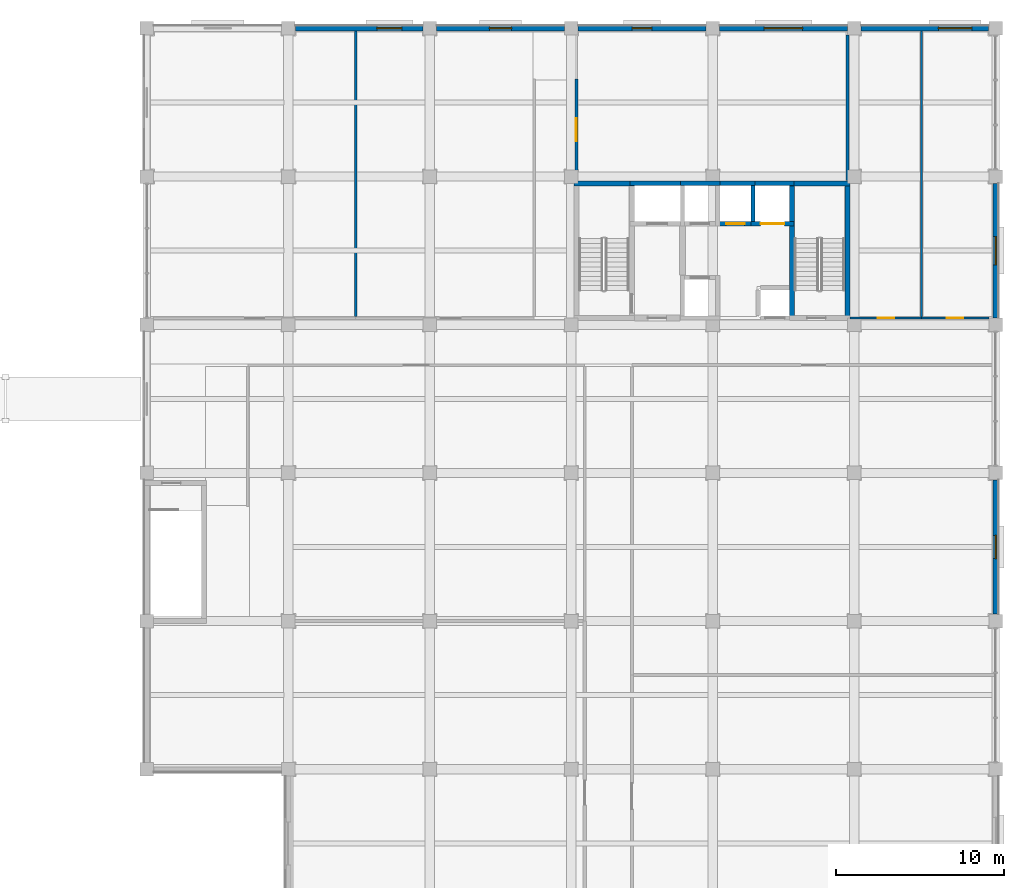
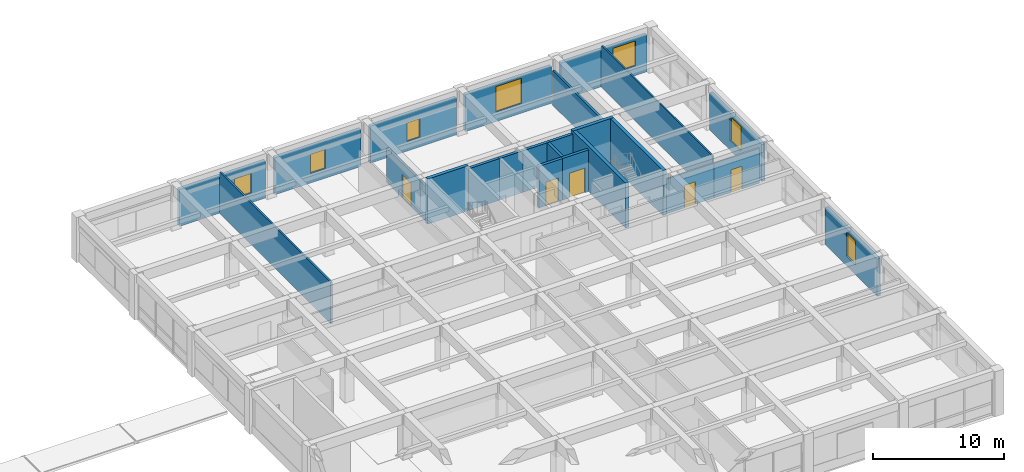
# One storey, part 36 of 46: 24 walls, 7 windows, 5 doors, 12 openings.
"""IFC4 building model written with IfcOpenShell, lengths in metres."""

from ifc_helpers import new_model, si_unit, direction, frame, frame_2d, origin, place, context, subcontext, project, spatial, rectangle, extrude, material, layer, layer_set, type_object, element, fill, save


model = new_model("IFC4")

# Units and contexts
model_context = context("Model", 3, precision=1e-05, world=origin(), true_north=direction((0.0, 1.0)))
body_context = subcontext(model_context, "Body", "Model", "MODEL_VIEW")
ifc_project = project(units=[si_unit("LENGTHUNIT", "METRE"), si_unit("AREAUNIT", "SQUARE_METRE"), si_unit("VOLUMEUNIT", "CUBIC_METRE"), si_unit("PLANEANGLEUNIT", "RADIAN"), si_unit("MASSUNIT", "GRAM", prefix="KILO")], contexts=[model_context])

# Site, building, storey
site_placement = place(None, origin())
site = spatial("IfcSite", under=ifc_project, at=site_placement, CompositionType="ELEMENT")
building_placement = place(site_placement, origin())
building = spatial("IfcBuilding", under=site, at=building_placement, Name="Kemercrest Conservatory and Botanical Centre", CompositionType="ELEMENT")
storey_placement = place(building_placement, frame((0.0, 0.0, 9.0)))
storey = spatial("IfcBuildingStorey", under=building, at=storey_placement, Name="L02", CompositionType="ELEMENT", Elevation=9.0)

# Walls
ifc_material_1 = material(Name="Concrete C50/60", Category="concrete")
ifc_layer_1 = layer(ifc_material_1, 0.300048828125)
ifc_layer_set_1 = layer_set([ifc_layer_1], Name="Concrete C50/60")
wall_type_1 = type_object("IfcWallType", Name="CW-STAIR", PredefinedType="SHEAR", material=ifc_layer_set_1)
for number, where, z_axis, x_axis, name in (
    (1, (150.949951171875, 113.199951171875, 0.0), (0.0, 0.0, 1.0), (1.0, 0.0, 0.0), "Stair core ST-V4A shear wall N"),
    (2, (163.75, 113.199951171875, 0.0), (0.0, 0.0, 1.0), (1.0, 0.0, 0.0), "Stair core ST-V4B shear wall N"),
):
    element("IfcWall", number, at=place(storey_placement, frame(where, z_axis=z_axis, x_axis=x_axis)), inside=storey, type_object=wall_type_1, Name=name, PredefinedType="SHEAR", context=body_context, shape_type="SweptSolid", body=[
        extrude(rectangle(XDim=3.60009765625, YDim=0.300048828125, at=frame_2d((1.800048828125, 0.0))), origin(), (0.0, 0.0, 1.0), 4.199951171875),
    ])
for number, where, z_axis, x_axis, name in (
    (3, (163.89990234375, 105.050048828125, 0.0), (0.0, 0.0, 1.0), (0.0, 1.0, 0.0), "Stair core ST-V4B shear wall W"),
    (4, (167.199951171875, 105.050048828125, 0.0), (0.0, 0.0, 1.0), (0.0, 1.0, 0.0), "Stair core ST-V4B shear wall E"),
):
    element("IfcWall", number, at=place(storey_placement, frame(where, z_axis=z_axis, x_axis=x_axis)), inside=storey, type_object=wall_type_1, Name=name, PredefinedType="SHEAR", context=body_context, shape_type="SweptSolid", body=[
        extrude(rectangle(XDim=8.300048828125, YDim=0.300048828125, at=frame_2d((4.14990234375, 0.0))), origin(), (0.0, 0.0, 1.0), 4.199951171875),
    ])

# Wall, opening, window
ifc_material_2 = material(Name="Precast concrete C40/50", Category="concrete")
ifc_layer_2 = layer(ifc_material_2, 0.300048828125)
ifc_layer_set_2 = layer_set([ifc_layer_2], Name="Precast concrete C40/50")
wall_type_2 = type_object("IfcWallType", Name="W-EXT300", PredefinedType="SOLIDWALL", material=ifc_layer_set_2)
wall_1_placement = place(storey_placement, frame((176.0, 87.610107421875, 0.0), z_axis=(0.0, 0.0, 1.0), x_axis=(0.0, 1.0, 0.0)))
wall_1 = element("IfcWall", 5, at=wall_1_placement, inside=storey, type_object=wall_type_2, Name="Exterior almasik wall W-EXT300 (WAL:L02:EXT-196)", PredefinedType="SOLIDWALL", context=body_context, shape_type="SweptSolid", body=[
    extrude(rectangle(XDim=7.97998046875, YDim=0.300048828125, at=frame_2d((3.989990234375, 0.0))), origin(), (0.0, 0.0, 1.0), 3.449951171875),
])
opening_1_placement = place(wall_1_placement, frame((3.300048828125, 0.0, 0.89990234375)))
opening_1 = element("IfcOpeningElement", 6, at=opening_1_placement, cuts=wall_1, Name="Opening WT-41", PredefinedType="OPENING", context=body_context, shape_type="SweptSolid", body=[
    extrude(rectangle(XDim=1.3798828125, YDim=2.239990234375, at=frame_2d((0.68994140625, 1.1201171875))), frame((0.0, 0.16015625, 0.0), z_axis=(0.0, -1.0, 0.0), x_axis=(1.0, 0.0, 0.0)), (0.0, 0.0, 1.0), 0.320068359375),
])
ifc_material_3 = material(Name="Thermally broken bronze-anodized aluminium and triple glazing", Category="aluminium")
window_type_1 = type_object("IfcWindowType", Name="WT-41", PartitioningType="SINGLE_PANEL", PredefinedType="WINDOW", material=ifc_material_3)
window_1_placement = place(opening_1_placement, origin())
window_1 = element("IfcWindow", 7, at=window_1_placement, inside=storey, type_object=window_type_1, Name="Exterior window WT-41 (WIN:L02:EXT-196)", OverallHeight=2.239990234375, OverallWidth=1.3798828125, PartitioningType="SINGLE_PANEL", PredefinedType="WINDOW", context=body_context, shape_type="SweptSolid", body=[
    extrude(rectangle(XDim=1.3798828125, YDim=2.239990234375, at=frame_2d((0.68994140625, 1.1201171875))), frame((0.0, 0.030029296875, 0.0), z_axis=(0.0, -1.0, 0.0), x_axis=(1.0, 0.0, 0.0)), (0.0, 0.0, 1.0), 0.06005859375),
])
fill(opening_1, window_1)

wall_2_placement = place(storey_placement, frame((176.0, 105.2099609375, 0.0), z_axis=(0.0, 0.0, 1.0), x_axis=(0.0, 1.0, 0.0)))
wall_2 = element("IfcWall", 8, at=wall_2_placement, inside=storey, type_object=wall_type_2, Name="Exterior almasik wall W-EXT300 (WAL:L02:EXT-197)", PredefinedType="SOLIDWALL", context=body_context, shape_type="SweptSolid", body=[
    extrude(rectangle(XDim=7.97998046875, YDim=0.300048828125, at=frame_2d((3.989990234375, 0.0))), origin(), (0.0, 0.0, 1.0), 3.449951171875),
])
opening_2_placement = place(wall_2_placement, frame((3.14990234375, 0.0, 0.89990234375)))
opening_2 = element("IfcOpeningElement", 9, at=opening_2_placement, cuts=wall_2, Name="Opening WT-42", PredefinedType="OPENING", context=body_context, shape_type="SweptSolid", body=[
    extrude(rectangle(XDim=1.679931640625, YDim=2.280029296875, at=frame_2d((0.83984375, 1.14013671875))), frame((0.0, 0.16015625, 0.0), z_axis=(0.0, -1.0, 0.0), x_axis=(1.0, 0.0, 0.0)), (0.0, 0.0, 1.0), 0.320068359375),
])
window_type_2 = type_object("IfcWindowType", Name="WT-42", PartitioningType="SINGLE_PANEL", PredefinedType="WINDOW", material=ifc_material_3)
window_2_placement = place(opening_2_placement, origin())
window_2 = element("IfcWindow", 10, at=window_2_placement, inside=storey, type_object=window_type_2, Name="Exterior window WT-42 (WIN:L02:EXT-197)", OverallHeight=2.280029296875, OverallWidth=1.679931640625, PartitioningType="SINGLE_PANEL", PredefinedType="WINDOW", context=body_context, shape_type="SweptSolid", body=[
    extrude(rectangle(XDim=1.679931640625, YDim=2.280029296875, at=frame_2d((0.83984375, 1.14013671875))), frame((0.0, 0.030029296875, 0.0), z_axis=(0.0, -1.0, 0.0), x_axis=(1.0, 0.0, 0.0)), (0.0, 0.0, 1.0), 0.06005859375),
])
fill(opening_2, window_2)

wall_3_placement = place(storey_placement, frame((175.590087890625, 122.39990234375, 0.0), z_axis=(0.0, 0.0, 1.0), x_axis=(-1.0, 0.0, 0.0)))
wall_3 = element("IfcWall", 11, at=wall_3_placement, inside=storey, type_object=wall_type_2, Name="Exterior almasik wall W-EXT300 (WAL:L02:EXT-198)", PredefinedType="SOLIDWALL", context=body_context, shape_type="SweptSolid", body=[
    extrude(rectangle(XDim=7.580078125, YDim=0.300048828125, at=frame_2d((3.7900390625, 0.0))), origin(), (0.0, 0.0, 1.0), 3.449951171875),
])
opening_3_placement = place(wall_3_placement, frame((1.0048828125, 0.0, 0.89990234375)))
opening_3 = element("IfcOpeningElement", 12, at=opening_3_placement, cuts=wall_3, Name="Opening WT-43", PredefinedType="OPENING", context=body_context, shape_type="SweptSolid", body=[
    extrude(rectangle(XDim=1.97998046875, YDim=2.320068359375, at=frame_2d((0.989990234375, 1.16015625))), frame((0.0, 0.16015625, 0.0), z_axis=(0.0, -1.0, 0.0), x_axis=(1.0, 0.0, 0.0)), (0.0, 0.0, 1.0), 0.320068359375),
])
window_type_3 = type_object("IfcWindowType", Name="WT-43", PartitioningType="SINGLE_PANEL", PredefinedType="WINDOW", material=ifc_material_3)
window_3_placement = place(opening_3_placement, origin())
window_3 = element("IfcWindow", 13, at=window_3_placement, inside=storey, type_object=window_type_3, Name="Exterior window WT-43 (WIN:L02:EXT-198)", OverallHeight=2.320068359375, OverallWidth=1.97998046875, PartitioningType="SINGLE_PANEL", PredefinedType="WINDOW", context=body_context, shape_type="SweptSolid", body=[
    extrude(rectangle(XDim=1.97998046875, YDim=2.320068359375, at=frame_2d((0.989990234375, 1.16015625))), frame((0.0, 0.030029296875, 0.0), z_axis=(0.0, -1.0, 0.0), x_axis=(1.0, 0.0, 0.0)), (0.0, 0.0, 1.0), 0.06005859375),
])
fill(opening_3, window_3)

wall_4_placement = place(storey_placement, frame((167.18994140625, 122.39990234375, 0.0), z_axis=(0.0, 0.0, 1.0), x_axis=(-1.0, 0.0, 0.0)))
wall_4 = element("IfcWall", 14, at=wall_4_placement, inside=storey, type_object=wall_type_2, Name="Exterior almasik wall W-EXT300 (WAL:L02:EXT-199)", PredefinedType="SOLIDWALL", context=body_context, shape_type="SweptSolid", body=[
    extrude(rectangle(XDim=7.579833984375, YDim=0.300048828125, at=frame_2d((3.7900390625, 0.0))), origin(), (0.0, 0.0, 1.0), 3.449951171875),
])
opening_4_placement = place(wall_4_placement, frame((2.64990234375, 0.0, 0.89990234375)))
opening_4 = element("IfcOpeningElement", 15, at=opening_4_placement, cuts=wall_4, Name="Opening WT-44", PredefinedType="OPENING", context=body_context, shape_type="SweptSolid", body=[
    extrude(rectangle(XDim=2.280029296875, YDim=2.360107421875, at=frame_2d((1.14013671875, 1.18017578125))), frame((0.0, 0.16015625, 0.0), z_axis=(0.0, -1.0, 0.0), x_axis=(1.0, 0.0, 0.0)), (0.0, 0.0, 1.0), 0.320068359375),
])
window_type_4 = type_object("IfcWindowType", Name="WT-44", PartitioningType="SINGLE_PANEL", PredefinedType="WINDOW", material=ifc_material_3)
window_4_placement = place(opening_4_placement, origin())
window_4 = element("IfcWindow", 16, at=window_4_placement, inside=storey, type_object=window_type_4, Name="Exterior window WT-44 (WIN:L02:EXT-199)", OverallHeight=2.360107421875, OverallWidth=2.280029296875, PartitioningType="SINGLE_PANEL", PredefinedType="WINDOW", context=body_context, shape_type="SweptSolid", body=[
    extrude(rectangle(XDim=2.280029296875, YDim=2.360107421875, at=frame_2d((1.14013671875, 1.18017578125))), frame((0.0, 0.030029296875, 0.0), z_axis=(0.0, -1.0, 0.0), x_axis=(1.0, 0.0, 0.0)), (0.0, 0.0, 1.0), 0.06005859375),
])
fill(opening_4, window_4)

wall_5_placement = place(storey_placement, frame((158.7900390625, 122.39990234375, 0.0), z_axis=(0.0, 0.0, 1.0), x_axis=(-1.0, 0.0, 0.0)))
wall_5 = element("IfcWall", 17, at=wall_5_placement, inside=storey, type_object=wall_type_2, Name="Exterior almasik wall W-EXT300 (WAL:L02:EXT-200)", PredefinedType="SOLIDWALL", context=body_context, shape_type="SweptSolid", body=[
    extrude(rectangle(XDim=7.580078125, YDim=0.300048828125, at=frame_2d((3.7900390625, 0.0))), origin(), (0.0, 0.0, 1.0), 3.449951171875),
])
opening_5_placement = place(wall_5_placement, frame((3.2099609375, 0.0, 0.89990234375)))
opening_5 = element("IfcOpeningElement", 18, at=opening_5_placement, cuts=wall_5, Name="Opening WT-45", PredefinedType="OPENING", context=body_context, shape_type="SweptSolid", body=[
    extrude(rectangle(XDim=1.159912109375, YDim=1.739990234375, at=frame_2d((0.580078125, 0.8701171875))), frame((0.0, 0.16015625, 0.0), z_axis=(0.0, -1.0, 0.0), x_axis=(1.0, 0.0, 0.0)), (0.0, 0.0, 1.0), 0.320068359375),
])
window_type_5 = type_object("IfcWindowType", Name="WT-45", PartitioningType="SINGLE_PANEL", PredefinedType="WINDOW", material=ifc_material_3)
window_5_placement = place(opening_5_placement, origin())
window_5 = element("IfcWindow", 19, at=window_5_placement, inside=storey, type_object=window_type_5, Name="Exterior window WT-45 (WIN:L02:EXT-200)", OverallHeight=1.739990234375, OverallWidth=1.159912109375, PartitioningType="SINGLE_PANEL", PredefinedType="WINDOW", context=body_context, shape_type="SweptSolid", body=[
    extrude(rectangle(XDim=1.159912109375, YDim=1.739990234375, at=frame_2d((0.580078125, 0.8701171875))), frame((0.0, 0.030029296875, 0.0), z_axis=(0.0, -1.0, 0.0), x_axis=(1.0, 0.0, 0.0)), (0.0, 0.0, 1.0), 0.06005859375),
])
fill(opening_5, window_5)

wall_6_placement = place(storey_placement, frame((150.389892578125, 122.39990234375, 0.0), z_axis=(0.0, 0.0, 1.0), x_axis=(-1.0, 0.0, 0.0)))
wall_6 = element("IfcWall", 20, at=wall_6_placement, inside=storey, type_object=wall_type_2, Name="Exterior almasik wall W-EXT300 (WAL:L02:EXT-201)", PredefinedType="SOLIDWALL", context=body_context, shape_type="SweptSolid", body=[
    extrude(rectangle(XDim=7.579833984375, YDim=0.300048828125, at=frame_2d((3.7900390625, 0.0))), origin(), (0.0, 0.0, 1.0), 3.449951171875),
])
opening_6_placement = place(wall_6_placement, frame((3.1298828125, 0.0, 0.89990234375)))
opening_6 = element("IfcOpeningElement", 21, at=opening_6_placement, cuts=wall_6, Name="Opening WT-46", PredefinedType="OPENING", context=body_context, shape_type="SweptSolid", body=[
    extrude(rectangle(XDim=1.320068359375, YDim=1.780029296875, at=frame_2d((0.66015625, 0.89013671875))), frame((0.0, 0.16015625, 0.0), z_axis=(0.0, -1.0, 0.0), x_axis=(1.0, 0.0, 0.0)), (0.0, 0.0, 1.0), 0.320068359375),
])
window_type_6 = type_object("IfcWindowType", Name="WT-46", PartitioningType="SINGLE_PANEL", PredefinedType="WINDOW", material=ifc_material_3)
window_6_placement = place(opening_6_placement, origin())
window_6 = element("IfcWindow", 22, at=window_6_placement, inside=storey, type_object=window_type_6, Name="Exterior window WT-46 (WIN:L02:EXT-201)", OverallHeight=1.780029296875, OverallWidth=1.320068359375, PartitioningType="SINGLE_PANEL", PredefinedType="WINDOW", context=body_context, shape_type="SweptSolid", body=[
    extrude(rectangle(XDim=1.320068359375, YDim=1.780029296875, at=frame_2d((0.66015625, 0.89013671875))), frame((0.0, 0.030029296875, 0.0), z_axis=(0.0, -1.0, 0.0), x_axis=(1.0, 0.0, 0.0)), (0.0, 0.0, 1.0), 0.06005859375),
])
fill(opening_6, window_6)

wall_7_placement = place(storey_placement, frame((141.989990234375, 122.39990234375, 0.0), z_axis=(0.0, 0.0, 1.0), x_axis=(-1.0, 0.0, 0.0)))
wall_7 = element("IfcWall", 23, at=wall_7_placement, inside=storey, type_object=wall_type_2, Name="Exterior almasik wall W-EXT300 (WAL:L02:EXT-202)", PredefinedType="SOLIDWALL", context=body_context, shape_type="SweptSolid", body=[
    extrude(rectangle(XDim=7.580078125, YDim=0.300048828125, at=frame_2d((3.7900390625, 0.0))), origin(), (0.0, 0.0, 1.0), 3.449951171875),
])
opening_7_placement = place(wall_7_placement, frame((1.2548828125, 0.0, 0.89990234375)))
opening_7 = element("IfcOpeningElement", 24, at=opening_7_placement, cuts=wall_7, Name="Opening WT-47", PredefinedType="OPENING", context=body_context, shape_type="SweptSolid", body=[
    extrude(rectangle(XDim=1.47998046875, YDim=1.840087890625, at=frame_2d((0.739990234375, 0.919921875))), frame((0.0, 0.16015625, 0.0), z_axis=(0.0, -1.0, 0.0), x_axis=(1.0, 0.0, 0.0)), (0.0, 0.0, 1.0), 0.320068359375),
])
window_type_7 = type_object("IfcWindowType", Name="WT-47", PartitioningType="SINGLE_PANEL", PredefinedType="WINDOW", material=ifc_material_3)
window_7_placement = place(opening_7_placement, origin())
window_7 = element("IfcWindow", 25, at=window_7_placement, inside=storey, type_object=window_type_7, Name="Exterior window WT-47 (WIN:L02:EXT-202)", OverallHeight=1.840087890625, OverallWidth=1.47998046875, PartitioningType="SINGLE_PANEL", PredefinedType="WINDOW", context=body_context, shape_type="SweptSolid", body=[
    extrude(rectangle(XDim=1.47998046875, YDim=1.840087890625, at=frame_2d((0.739990234375, 0.919921875))), frame((0.0, 0.030029296875, 0.0), z_axis=(0.0, -1.0, 0.0), x_axis=(1.0, 0.0, 0.0)), (0.0, 0.0, 1.0), 0.06005859375),
])
fill(opening_7, window_7)

# Wall, opening, door
ifc_material_4 = material(Name="Moisture-resistant gypsum board partition", Category="gypsum")
ifc_layer_3 = layer(ifc_material_4, 0.125)
ifc_layer_set_3 = layer_set([ifc_layer_3], Name="Moisture-resistant gypsum board partition")
wall_type_3 = type_object("IfcWallType", Name="W-PART125", PredefinedType="PARTITIONING", material=ifc_layer_set_3)
wall_8_placement = place(storey_placement, frame((167.35498046875, 105.199951171875, 0.0), z_axis=(0.0, 0.0, 1.0), x_axis=(1.0, 0.0, 0.0)))
wall_8 = element("IfcWall", 26, at=wall_8_placement, inside=storey, type_object=wall_type_3, Name="Interior partition W-PART125 #122", PredefinedType="PARTITIONING", context=body_context, shape_type="SweptSolid", body=[
    extrude(rectangle(XDim=4.2451171875, YDim=0.125, at=frame_2d((2.12255859375, 0.0))), origin(), (0.0, 0.0, 1.0), 3.2451171875),
])
opening_8_placement = place(wall_8_placement, frame((1.632568359375, 0.0, 0.0)))
opening_8 = element("IfcOpeningElement", 27, at=opening_8_placement, cuts=wall_8, Name="Opening D180", PredefinedType="OPENING", context=body_context, shape_type="SweptSolid", body=[
    extrude(rectangle(XDim=0.97998046875, YDim=2.10009765625, at=frame_2d((0.489990234375, 1.050048828125))), frame((0.0, 0.072509765625, 0.0), z_axis=(0.0, -1.0, 0.0), x_axis=(1.0, 0.0, 0.0)), (0.0, 0.0, 1.0), 0.14501953125),
])
ifc_material_5 = material(Name="FSC solid-core white oak veneer and anodized aluminium frame", Category="aluminium")
door_type_1 = type_object("IfcDoorType", Name="DT-02", OperationType="NOTDEFINED", PredefinedType="DOOR", material=ifc_material_5)
door_1_placement = place(opening_8_placement, origin())
door_1 = element("IfcDoor", 28, at=door_1_placement, inside=storey, type_object=door_type_1, Name="Staff Washroom door D180", OperationType="SINGLE_SWING_RIGHT", OverallHeight=2.10009765625, OverallWidth=0.97998046875, PredefinedType="DOOR", context=body_context, shape_type="SweptSolid", body=[
    extrude(rectangle(XDim=0.97998046875, YDim=2.10009765625, at=frame_2d((0.489990234375, 1.050048828125))), frame((0.0, 0.02490234375, 0.0), z_axis=(0.0, -1.0, 0.0), x_axis=(1.0, 0.0, 0.0)), (0.0, 0.0, 1.0), 0.050048828125),
])
fill(opening_8, door_1)

wall_9_placement = place(storey_placement, frame((171.60009765625, 105.199951171875, 0.0), z_axis=(0.0, 0.0, 1.0), x_axis=(1.0, 0.0, 0.0)))
wall_9 = element("IfcWall", 29, at=wall_9_placement, inside=storey, type_object=wall_type_3, Name="Interior partition W-PART125 #123", PredefinedType="PARTITIONING", context=body_context, shape_type="SweptSolid", body=[
    extrude(rectangle(XDim=4.0, YDim=0.125, at=frame_2d((2.0, 0.0))), origin(), (0.0, 0.0, 1.0), 3.2451171875),
])
opening_9_placement = place(wall_9_placement, frame((1.510009765625, 0.0, 0.0)))
opening_9 = element("IfcOpeningElement", 30, at=opening_9_placement, cuts=wall_9, Name="Opening D181", PredefinedType="OPENING", context=body_context, shape_type="SweptSolid", body=[
    extrude(rectangle(XDim=0.97998046875, YDim=2.10009765625, at=frame_2d((0.489990234375, 1.050048828125))), frame((0.0, 0.072509765625, 0.0), z_axis=(0.0, -1.0, 0.0), x_axis=(1.0, 0.0, 0.0)), (0.0, 0.0, 1.0), 0.14501953125),
])
door_2_placement = place(opening_9_placement, origin())
door_2 = element("IfcDoor", 31, at=door_2_placement, inside=storey, type_object=door_type_1, Name="Accessible Washroom door D181", OperationType="SINGLE_SWING_LEFT", OverallHeight=2.10009765625, OverallWidth=0.97998046875, PredefinedType="DOOR", context=body_context, shape_type="SweptSolid", body=[
    extrude(rectangle(XDim=0.97998046875, YDim=2.10009765625, at=frame_2d((0.489990234375, 1.050048828125))), frame((0.0, 0.02490234375, 0.0), z_axis=(0.0, -1.0, 0.0), x_axis=(1.0, 0.0, 0.0)), (0.0, 0.0, 1.0), 0.050048828125),
])
fill(opening_9, door_2)

# Walls
wall_10_placement = place(storey_placement, frame((171.60009765625, 105.267578125, 0.0), z_axis=(0.0, 0.0, 1.0), x_axis=(0.0, 1.0, 0.0)))
element("IfcWall", 32, at=wall_10_placement, inside=storey, type_object=wall_type_3, Name="Interior partition W-PART125 #138", PredefinedType="PARTITIONING", context=body_context, shape_type="SweptSolid", body=[
    extrude(rectangle(XDim=16.9775390625, YDim=0.125, at=frame_2d((8.48876953125, 0.0))), origin(), (0.0, 0.0, 1.0), 3.864990234375),
])
ifc_material_6 = material(Name="Steel-stud gypsum board partition", Category="steel")
ifc_layer_4 = layer(ifc_material_6, 0.14990234375)
ifc_layer_set_4 = layer_set([ifc_layer_4], Name="Steel-stud gypsum board partition")
wall_type_4 = type_object("IfcWallType", Name="W-PART150", PredefinedType="PARTITIONING", material=ifc_layer_set_4)
wall_11_placement = place(storey_placement, frame((138.0, 105.280029296875, 0.0), z_axis=(0.0, 0.0, 1.0), x_axis=(0.0, 1.0, 0.0)))
element("IfcWall", 33, at=wall_11_placement, inside=storey, type_object=wall_type_4, Name="Interior partition W-PART150 #136", PredefinedType="PARTITIONING", context=body_context, shape_type="SweptSolid", body=[
    extrude(rectangle(XDim=16.965087890625, YDim=0.14990234375, at=frame_2d((8.482421875, 0.0))), origin(), (0.0, 0.0, 1.0), 3.864990234375),
])

# Wall, opening, door
ifc_material_7 = material(Name="Acoustic steel-stud gypsum board assembly", Category="steel")
ifc_layer_5 = layer(ifc_material_7, 0.179931640625)
ifc_layer_set_5 = layer_set([ifc_layer_5], Name="Acoustic steel-stud gypsum board assembly")
wall_type_5 = type_object("IfcWallType", Name="W-PART180", PredefinedType="PARTITIONING", material=ifc_layer_set_5)
wall_12_placement = place(storey_placement, frame((151.10009765625, 113.35498046875, 0.0), z_axis=(0.0, 0.0, 1.0), x_axis=(0.0, 1.0, 0.0)))
wall_12 = element("IfcWall", 34, at=wall_12_placement, inside=storey, type_object=wall_type_5, Name="Interior partition W-PART180 #130", PredefinedType="PARTITIONING", context=body_context, shape_type="SweptSolid", body=[
    extrude(rectangle(XDim=6.044921875, YDim=0.179931640625, at=frame_2d((3.0224609375, 0.0))), origin(), (0.0, 0.0, 1.0), 3.2451171875),
])
opening_10_placement = place(wall_12_placement, frame((2.33251953125, 0.0, 0.0)))
opening_10 = element("IfcOpeningElement", 35, at=opening_10_placement, cuts=wall_12, Name="Opening D184", PredefinedType="OPENING", context=body_context, shape_type="SweptSolid", body=[
    extrude(rectangle(XDim=1.3798828125, YDim=2.199951171875, at=frame_2d((0.68994140625, 1.10009765625))), frame((0.0, 0.10009765625, 0.0), z_axis=(0.0, -1.0, 0.0), x_axis=(1.0, 0.0, 0.0)), (0.0, 0.0, 1.0), 0.199951171875),
])
door_type_2 = type_object("IfcDoorType", Name="DT-08", OperationType="DOUBLE_DOOR_SINGLE_SWING", PredefinedType="DOOR", material=ifc_material_5)
door_3_placement = place(opening_10_placement, origin())
door_3 = element("IfcDoor", 36, at=door_3_placement, inside=storey, type_object=door_type_2, Name="Electron Microscopy Laboratory door D184", OperationType="DOUBLE_DOOR_SINGLE_SWING", OverallHeight=2.199951171875, OverallWidth=1.3798828125, PredefinedType="DOOR", context=body_context, shape_type="SweptSolid", body=[
    extrude(rectangle(XDim=1.3798828125, YDim=2.199951171875, at=frame_2d((0.68994140625, 1.10009765625))), frame((0.0, 0.02490234375, 0.0), z_axis=(0.0, -1.0, 0.0), x_axis=(1.0, 0.0, 0.0)), (0.0, 0.0, 1.0), 0.050048828125),
])
fill(opening_10, door_3)

# Walls
wall_13_placement = place(storey_placement, frame((167.199951171875, 113.35498046875, 0.0), z_axis=(0.0, 0.0, 1.0), x_axis=(0.0, 1.0, 0.0)))
element("IfcWall", 37, at=wall_13_placement, inside=storey, type_object=wall_type_5, Name="Interior partition W-PART180 #137", PredefinedType="PARTITIONING", context=body_context, shape_type="SweptSolid", body=[
    extrude(rectangle(XDim=8.64501953125, YDim=0.179931640625, at=frame_2d((4.322509765625, 0.0))), origin(), (0.0, 0.0, 1.0), 3.2451171875),
])
ifc_material_8 = material(Name="Concrete C40/50", Category="concrete")
ifc_layer_6 = layer(ifc_material_8, 0.25)
ifc_layer_set_6 = layer_set([ifc_layer_6], Name="Concrete C40/50")
wall_type_6 = type_object("IfcWallType", Name="W-SHFT250", PredefinedType="SOLIDWALL", material=ifc_layer_set_6)
wall_14_placement = place(storey_placement, frame((154.27490234375, 113.199951171875, 0.0), z_axis=(0.0, 0.0, 1.0), x_axis=(1.0, 0.0, 0.0)))
element("IfcWall", 38, at=wall_14_placement, inside=storey, type_object=wall_type_6, Name="Elevator LF-FF1 shaft wall north", PredefinedType="SOLIDWALL", context=body_context, shape_type="SweptSolid", body=[
    extrude(rectangle(XDim=3.25, YDim=0.25, at=frame_2d((1.625, 0.0))), origin(), (0.0, 0.0, 1.0), 3.8798828125),
])
wall_15_placement = place(storey_placement, frame((157.27490234375, 113.199951171875, 0.0), z_axis=(0.0, 0.0, 1.0), x_axis=(1.0, 0.0, 0.0)))
element("IfcWall", 39, at=wall_15_placement, inside=storey, type_object=wall_type_6, Name="Elevator LF-P1 shaft wall north", PredefinedType="SOLIDWALL", context=body_context, shape_type="SweptSolid", body=[
    extrude(rectangle(XDim=2.35009765625, YDim=0.25, at=frame_2d((1.175048828125, 0.0))), origin(), (0.0, 0.0, 1.0), 3.8798828125),
])

# Wall, opening, door
wall_16_placement = place(storey_placement, frame((159.375, 110.800048828125, 0.0), z_axis=(0.0, 0.0, 1.0), x_axis=(1.0, 0.0, 0.0)))
wall_16 = element("IfcWall", 40, at=wall_16_placement, inside=storey, type_object=wall_type_6, Name="Elevator LF-P2 shaft wall south", PredefinedType="SOLIDWALL", context=body_context, shape_type="SweptSolid", body=[
    extrude(rectangle(XDim=2.35009765625, YDim=0.25, at=frame_2d((1.175048828125, 0.0))), origin(), (0.0, 0.0, 1.0), 3.8798828125),
])
opening_11_placement = place(wall_16_placement, frame((0.625, 0.0, 0.0)))
opening_11 = element("IfcOpeningElement", 41, at=opening_11_placement, cuts=wall_16, Name="Opening LD-042", PredefinedType="OPENING", context=body_context, shape_type="SweptSolid", body=[
    extrude(rectangle(XDim=1.10009765625, YDim=2.199951171875, at=frame_2d((0.550048828125, 1.10009765625))), frame((0.0, 0.135009765625, 0.0), z_axis=(0.0, -1.0, 0.0), x_axis=(1.0, 0.0, 0.0)), (0.0, 0.0, 1.0), 0.27001953125),
])
ifc_material_9 = material(Name="Powder-coated galvanized steel and fire-rated vision glass", Category="steel")
door_type_3 = type_object("IfcDoorType", Name="DT-LD01", OperationType="SLIDING_TO_LEFT", PredefinedType="DOOR", material=ifc_material_9)
door_4_placement = place(opening_11_placement, origin())
door_4 = element("IfcDoor", 42, at=door_4_placement, inside=storey, type_object=door_type_3, Name="Elevator LF-P2 sliding landing door LD-042", OperationType="SLIDING_TO_LEFT", OverallHeight=2.199951171875, OverallWidth=1.10009765625, PredefinedType="DOOR", context=body_context, shape_type="SweptSolid", body=[
    extrude(rectangle(XDim=1.10009765625, YDim=2.199951171875, at=frame_2d((0.550048828125, 1.10009765625))), frame((0.0, 0.02490234375, 0.0), z_axis=(0.0, -1.0, 0.0), x_axis=(1.0, 0.0, 0.0)), (0.0, 0.0, 1.0), 0.050048828125),
])
fill(opening_11, door_4)

# Walls
wall_17_placement = place(storey_placement, frame((159.375, 113.199951171875, 0.0), z_axis=(0.0, 0.0, 1.0), x_axis=(1.0, 0.0, 0.0)))
element("IfcWall", 43, at=wall_17_placement, inside=storey, type_object=wall_type_6, Name="Elevator LF-P2 shaft wall north", PredefinedType="SOLIDWALL", context=body_context, shape_type="SweptSolid", body=[
    extrude(rectangle(XDim=2.35009765625, YDim=0.25, at=frame_2d((1.175048828125, 0.0))), origin(), (0.0, 0.0, 1.0), 3.8798828125),
])
wall_18_placement = place(storey_placement, frame((161.60009765625, 110.675048828125, 0.0), z_axis=(0.0, 0.0, 1.0), x_axis=(0.0, 1.0, 0.0)))
element("IfcWall", 44, at=wall_18_placement, inside=storey, type_object=wall_type_6, Name="Elevator LF-P2 shaft wall east", PredefinedType="SOLIDWALL", context=body_context, shape_type="SweptSolid", body=[
    extrude(rectangle(XDim=2.64990234375, YDim=0.25, at=frame_2d((1.324951171875, 0.0))), origin(), (0.0, 0.0, 1.0), 3.8798828125),
])

# Wall, opening, door
wall_19_placement = place(storey_placement, frame((161.47509765625, 110.800048828125, 0.0), z_axis=(0.0, 0.0, 1.0), x_axis=(1.0, 0.0, 0.0)))
wall_19 = element("IfcWall", 45, at=wall_19_placement, inside=storey, type_object=wall_type_6, Name="Elevator LF-G1 shaft wall south", PredefinedType="SOLIDWALL", context=body_context, shape_type="SweptSolid", body=[
    extrude(rectangle(XDim=2.5498046875, YDim=0.25, at=frame_2d((1.27490234375, 0.0))), origin(), (0.0, 0.0, 1.0), 3.8798828125),
])
opening_12_placement = place(wall_19_placement, frame((0.574951171875, 0.0, 0.0)))
opening_12 = element("IfcOpeningElement", 46, at=opening_12_placement, cuts=wall_19, Name="Opening LD-078", PredefinedType="OPENING", context=body_context, shape_type="SweptSolid", body=[
    extrude(rectangle(XDim=1.39990234375, YDim=2.300048828125, at=frame_2d((0.699951171875, 1.14990234375))), frame((0.0, 0.135009765625, 0.0), z_axis=(0.0, -1.0, 0.0), x_axis=(1.0, 0.0, 0.0)), (0.0, 0.0, 1.0), 0.27001953125),
])
door_type_4 = type_object("IfcDoorType", Name="DT-LD03", OperationType="SLIDING_TO_LEFT", PredefinedType="DOOR", material=ifc_material_9)
door_5_placement = place(opening_12_placement, origin())
door_5 = element("IfcDoor", 47, at=door_5_placement, inside=storey, type_object=door_type_4, Name="Elevator LF-G1 sliding landing door LD-078", OperationType="SLIDING_TO_LEFT", OverallHeight=2.300048828125, OverallWidth=1.39990234375, PredefinedType="DOOR", context=body_context, shape_type="SweptSolid", body=[
    extrude(rectangle(XDim=1.39990234375, YDim=2.300048828125, at=frame_2d((0.699951171875, 1.14990234375))), frame((0.0, 0.02490234375, 0.0), z_axis=(0.0, -1.0, 0.0), x_axis=(1.0, 0.0, 0.0)), (0.0, 0.0, 1.0), 0.050048828125),
])
fill(opening_12, door_5)

# Wall
wall_20_placement = place(storey_placement, frame((161.47509765625, 113.199951171875, 0.0), z_axis=(0.0, 0.0, 1.0), x_axis=(1.0, 0.0, 0.0)))
element("IfcWall", 48, at=wall_20_placement, inside=storey, type_object=wall_type_6, Name="Elevator LF-G1 shaft wall north", PredefinedType="SOLIDWALL", context=body_context, shape_type="SweptSolid", body=[
    extrude(rectangle(XDim=2.5498046875, YDim=0.25, at=frame_2d((1.27490234375, 0.0))), origin(), (0.0, 0.0, 1.0), 3.8798828125),
])

save(model, "model.ifc")
